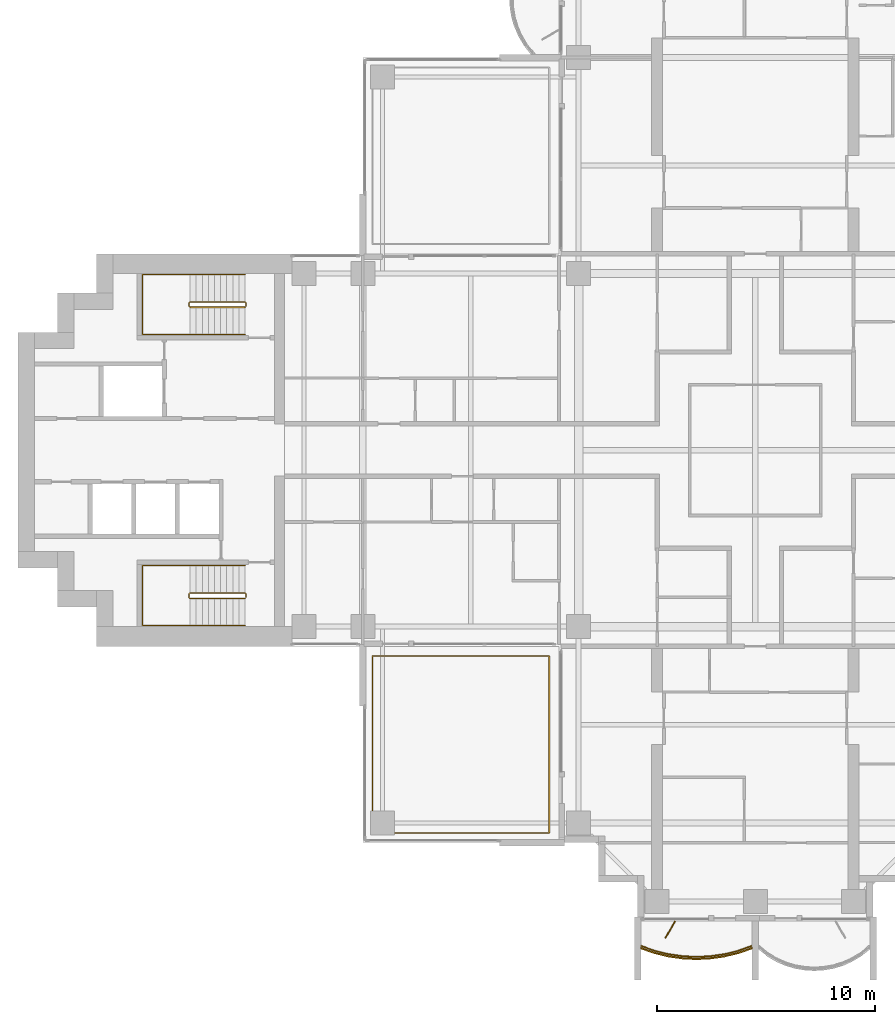
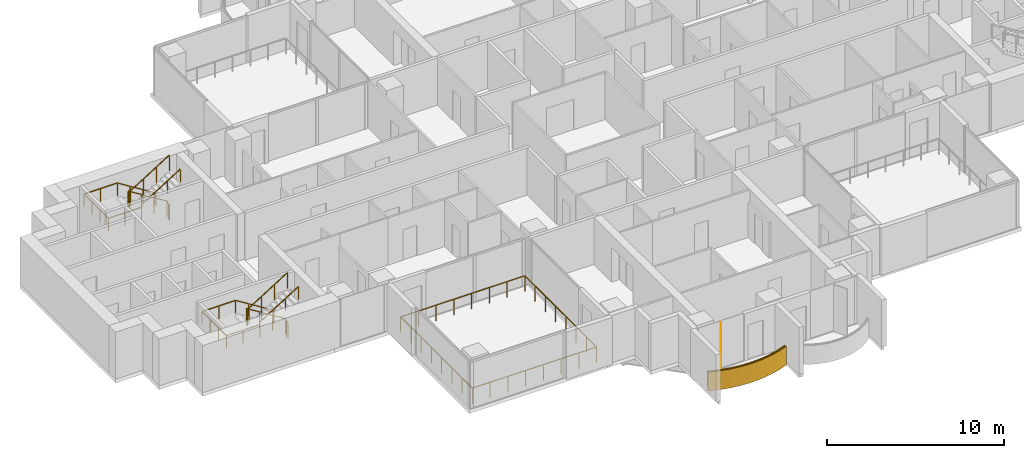
# One storey, part 16 of 19: 6 railings, 1 covering, 1 shading device.
"""IFC4 building model written with IfcOpenShell, lengths in metres."""

from ifc_helpers import new_model, si_unit, direction, frame, origin, origin_2d, place, context, subcontext, project, spatial, polyline, rectangle, outline, extrude, material, layer, layer_set, type_object, element, save


model = new_model("IFC4")

# Units and contexts
model_context = context("Model", 3, precision=1e-05, world=origin(), true_north=direction((0.0, 1.0)))
body_context = subcontext(model_context, "Body", "Model", "MODEL_VIEW")
ifc_project = project(units=[si_unit("LENGTHUNIT", "METRE"), si_unit("AREAUNIT", "SQUARE_METRE"), si_unit("VOLUMEUNIT", "CUBIC_METRE"), si_unit("PLANEANGLEUNIT", "RADIAN"), si_unit("MASSUNIT", "GRAM", prefix="KILO")], contexts=[model_context])

# Site, building, storey
site_placement = place(None, origin())
site = spatial("IfcSite", under=ifc_project, at=site_placement, CompositionType="ELEMENT")
building_placement = place(site_placement, origin())
building = spatial("IfcBuilding", under=site, at=building_placement, Name="Perihelion Cross Residences", CompositionType="ELEMENT")
storey_placement = place(building_placement, frame((0.0, 0.0, 112.89990234375)))
storey = spatial("IfcBuildingStorey", under=building, at=storey_placement, Name="L26", CompositionType="ELEMENT", Elevation=112.89990234375)

# Covering
ifc_material_1 = material(Name="Bronze anodised aluminium", Category="aluminium")
ifc_layer_1 = layer(ifc_material_1, 0.070068359375)
ifc_layer_set_1 = layer_set([ifc_layer_1], Name="Balcony fascia 1300")
covering_type = type_object("IfcCoveringType", Name="Balcony fascia 1300", PredefinedType="CLADDING", material=ifc_layer_set_1)
covering_placement = place(storey_placement, frame((0.0, 0.0, -0.199951171875)))
element("IfcCovering", 1, at=covering_placement, inside=storey, type_object=covering_type, Name="Fascia BF1 L26 south tip south bay 1", PredefinedType="CLADDING", context=body_context, shape_type="SweptSolid", body=[
    extrude(outline(polyline([(-4.63232421875, -23.090576171875), (-3.98828125, -23.247314453125), (-3.34423828125, -23.339599609375), (-2.699951171875, -23.3701171875), (-2.055908203125, -23.339599609375), (-1.411865234375, -23.247314453125), (-0.767578125, -23.090576171875), (-0.14990234375, -22.874267578125), (-0.14990234375, -22.800048828125), (-0.78759765625, -23.0234375), (-1.425048828125, -23.178466796875), (-2.0625, -23.269775390625), (-2.699951171875, -23.300048828125), (-3.33740234375, -23.269775390625), (-3.97509765625, -23.178466796875), (-4.612548828125, -23.0234375), (-5.25, -22.800048828125), (-5.25, -22.874267578125), (-4.63232421875, -23.090576171875)])), origin(), (0.0, 0.0, 1.0), 1.300048828125),
])

# Railings
ifc_material_2 = material(Name="Bronze anodised aluminium", Category="aluminium")
railing_type_1 = type_object("IfcRailingType", Name="Balcony guard 1100", PredefinedType="GUARDRAIL", material=ifc_material_2)
railing_1_placement = place(storey_placement, frame((-5.22509765625, -22.739990234375, 0.0)))
element("IfcRailing", 2, at=railing_1_placement, inside=storey, type_object=railing_type_1, Name="Guard GU1 L26 south tip south bay 1 balcony", PredefinedType="GUARDRAIL", context=body_context, shape_type="SweptSolid", body=[
    extrude(rectangle(XDim=0.048095703125, YDim=0.048095703125, at=origin_2d()), frame((0.0, 0.0, 1.076171875), z_axis=(0.939355405384, -0.342945217749, 0.0), x_axis=(0.342945217749, 0.939355405384, 0.0)), (0.0, 0.0, 1.0), 0.652099609375),
    extrude(rectangle(XDim=0.048095703125, YDim=0.048095703125, at=origin_2d()), frame((0.612548828125, -0.2236328125, 1.076171875), z_axis=(0.971676841941, -0.236313594268, 0.0), x_axis=(0.236313594268, 0.971676841941, 0.0)), (0.0, 0.0, 1.0), 0.656005859375),
    extrude(rectangle(XDim=0.048095703125, YDim=0.048095703125, at=origin_2d()), frame((1.25, -0.378662109375, 1.076171875), z_axis=(0.989903964498, -0.141739694763, 0.0), x_axis=(0.141739694763, 0.989903964498, 0.0)), (0.0, 0.0, 1.0), 0.644287109375),
    extrude(rectangle(XDim=0.048095703125, YDim=0.048095703125, at=origin_2d()), frame((1.8876953125, -0.469970703125, 1.076171875), z_axis=(0.998892243319, -0.04705620296, 0.0), x_axis=(0.04705620296, 0.998892243319, 0.0)), (0.0, 0.0, 1.0), 0.63818359375),
    extrude(rectangle(XDim=0.048095703125, YDim=0.048095703125, at=origin_2d()), frame((2.525146484375, -0.5, 1.076171875), z_axis=(0.998892243319, 0.04705620296, 0.0), x_axis=(-0.04705620296, 0.998892243319, 0.0)), (0.0, 0.0, 1.0), 0.63818359375),
    extrude(rectangle(XDim=0.048095703125, YDim=0.048095703125, at=origin_2d()), frame((3.16259765625, -0.469970703125, 1.076171875), z_axis=(0.989896346386, 0.141792889142, 0.0), x_axis=(-0.141792889142, 0.989896346386, 0.0)), (0.0, 0.0, 1.0), 0.64404296875),
    extrude(rectangle(XDim=0.048095703125, YDim=0.048095703125, at=origin_2d()), frame((3.800048828125, -0.378662109375, 1.076171875), z_axis=(0.971676841941, 0.236313594268, 0.0), x_axis=(-0.236313594268, 0.971676841941, 0.0)), (0.0, 0.0, 1.0), 0.656005859375),
    extrude(rectangle(XDim=0.048095703125, YDim=0.048095703125, at=origin_2d()), frame((4.4375, -0.2236328125, 1.076171875), z_axis=(0.939355405384, 0.342945217749, 0.0), x_axis=(-0.342945217749, 0.939355405384, 0.0)), (0.0, 0.0, 1.0), 0.652099609375),
    extrude(rectangle(XDim=0.0419921875, YDim=0.0419921875, at=origin_2d()), origin(), (0.0, 0.0, 1.0), 1.052001953125),
    extrude(rectangle(XDim=0.0419921875, YDim=0.0419921875, at=origin_2d()), frame((0.612548828125, -0.2236328125, 0.0)), (0.0, 0.0, 1.0), 1.052001953125),
    extrude(rectangle(XDim=0.0419921875, YDim=0.0419921875, at=origin_2d()), frame((1.25, -0.378662109375, 0.0)), (0.0, 0.0, 1.0), 1.052001953125),
    extrude(rectangle(XDim=0.0419921875, YDim=0.0419921875, at=origin_2d()), frame((1.8876953125, -0.469970703125, 0.0)), (0.0, 0.0, 1.0), 1.052001953125),
    extrude(rectangle(XDim=0.0419921875, YDim=0.0419921875, at=origin_2d()), frame((2.525146484375, -0.5, 0.0)), (0.0, 0.0, 1.0), 1.052001953125),
    extrude(rectangle(XDim=0.0419921875, YDim=0.0419921875, at=origin_2d()), frame((3.16259765625, -0.469970703125, 0.0)), (0.0, 0.0, 1.0), 1.052001953125),
    extrude(rectangle(XDim=0.0419921875, YDim=0.0419921875, at=origin_2d()), frame((3.800048828125, -0.378662109375, 0.0)), (0.0, 0.0, 1.0), 1.052001953125),
    extrude(rectangle(XDim=0.0419921875, YDim=0.0419921875, at=origin_2d()), frame((4.4375, -0.2236328125, 0.0)), (0.0, 0.0, 1.0), 1.052001953125),
    extrude(rectangle(XDim=0.0419921875, YDim=0.0419921875, at=origin_2d()), frame((5.050048828125, 0.0, 0.0)), (0.0, 0.0, 1.0), 1.052001953125),
])
railing_2_placement = place(storey_placement, frame((-9.449951171875, -17.550048828125, 0.0)))
element("IfcRailing", 3, at=railing_2_placement, inside=storey, type_object=railing_type_1, Name="Guard GU1 L26 pocket south-west 1", PredefinedType="GUARDRAIL", context=body_context, shape_type="SweptSolid", body=[
    extrude(rectangle(XDim=0.048095703125, YDim=0.048095703125, at=origin_2d()), frame((0.0, 0.0, 1.076171875), z_axis=(-1.0, 0.0, 0.0), x_axis=(0.0, -1.0, 0.0)), (0.0, 0.0, 1.0), 8.10009765625),
    extrude(rectangle(XDim=0.048095703125, YDim=0.048095703125, at=origin_2d()), frame((-8.10009765625, 0.0, 1.076171875), z_axis=(0.0, 1.0, 0.0), x_axis=(-1.0, 0.0, 0.0)), (0.0, 0.0, 1.0), 8.10009765625),
    extrude(rectangle(XDim=0.048095703125, YDim=0.048095703125, at=origin_2d()), frame((-8.10009765625, 8.10009765625, 1.076171875), z_axis=(1.0, 0.0, 0.0), x_axis=(0.0, 1.0, 0.0)), (0.0, 0.0, 1.0), 8.10009765625),
    extrude(rectangle(XDim=0.048095703125, YDim=0.048095703125, at=origin_2d()), frame((0.0, 8.10009765625, 1.076171875), z_axis=(0.0, -1.0, 0.0), x_axis=(1.0, 0.0, 0.0)), (0.0, 0.0, 1.0), 8.10009765625),
    extrude(rectangle(XDim=0.0419921875, YDim=0.0419921875, at=origin_2d()), origin(), (0.0, 0.0, 1.0), 1.052001953125),
    extrude(rectangle(XDim=0.0419921875, YDim=0.0419921875, at=origin_2d()), frame((-1.1572265625, 0.0, 0.0)), (0.0, 0.0, 1.0), 1.052001953125),
    extrude(rectangle(XDim=0.0419921875, YDim=0.0419921875, at=origin_2d()), frame((-2.314208984375, 0.0, 0.0)), (0.0, 0.0, 1.0), 1.052001953125),
    extrude(rectangle(XDim=0.0419921875, YDim=0.0419921875, at=origin_2d()), frame((-3.471435546875, 0.0, 0.0)), (0.0, 0.0, 1.0), 1.052001953125),
    extrude(rectangle(XDim=0.0419921875, YDim=0.0419921875, at=origin_2d()), frame((-4.628662109375, 0.0, 0.0)), (0.0, 0.0, 1.0), 1.052001953125),
    extrude(rectangle(XDim=0.0419921875, YDim=0.0419921875, at=origin_2d()), frame((-5.785888671875, 0.0, 0.0)), (0.0, 0.0, 1.0), 1.052001953125),
    extrude(rectangle(XDim=0.0419921875, YDim=0.0419921875, at=origin_2d()), frame((-6.94287109375, 0.0, 0.0)), (0.0, 0.0, 1.0), 1.052001953125),
    extrude(rectangle(XDim=0.0419921875, YDim=0.0419921875, at=origin_2d()), frame((-8.10009765625, 0.0, 0.0)), (0.0, 0.0, 1.0), 1.052001953125),
    extrude(rectangle(XDim=0.0419921875, YDim=0.0419921875, at=origin_2d()), frame((-8.10009765625, 1.1572265625, 0.0)), (0.0, 0.0, 1.0), 1.052001953125),
    extrude(rectangle(XDim=0.0419921875, YDim=0.0419921875, at=origin_2d()), frame((-8.10009765625, 2.314208984375, 0.0)), (0.0, 0.0, 1.0), 1.052001953125),
    extrude(rectangle(XDim=0.0419921875, YDim=0.0419921875, at=origin_2d()), frame((-8.10009765625, 3.471435546875, 0.0)), (0.0, 0.0, 1.0), 1.052001953125),
    extrude(rectangle(XDim=0.0419921875, YDim=0.0419921875, at=origin_2d()), frame((-8.10009765625, 4.628662109375, 0.0)), (0.0, 0.0, 1.0), 1.052001953125),
    extrude(rectangle(XDim=0.0419921875, YDim=0.0419921875, at=origin_2d()), frame((-8.10009765625, 5.785888671875, 0.0)), (0.0, 0.0, 1.0), 1.052001953125),
    extrude(rectangle(XDim=0.0419921875, YDim=0.0419921875, at=origin_2d()), frame((-8.10009765625, 6.94287109375, 0.0)), (0.0, 0.0, 1.0), 1.052001953125),
    extrude(rectangle(XDim=0.0419921875, YDim=0.0419921875, at=origin_2d()), frame((-8.10009765625, 8.10009765625, 0.0)), (0.0, 0.0, 1.0), 1.052001953125),
    extrude(rectangle(XDim=0.0419921875, YDim=0.0419921875, at=origin_2d()), frame((-6.94287109375, 8.10009765625, 0.0)), (0.0, 0.0, 1.0), 1.052001953125),
    extrude(rectangle(XDim=0.0419921875, YDim=0.0419921875, at=origin_2d()), frame((-5.785888671875, 8.10009765625, 0.0)), (0.0, 0.0, 1.0), 1.052001953125),
    extrude(rectangle(XDim=0.0419921875, YDim=0.0419921875, at=origin_2d()), frame((-4.628662109375, 8.10009765625, 0.0)), (0.0, 0.0, 1.0), 1.052001953125),
    extrude(rectangle(XDim=0.0419921875, YDim=0.0419921875, at=origin_2d()), frame((-3.471435546875, 8.10009765625, 0.0)), (0.0, 0.0, 1.0), 1.052001953125),
    extrude(rectangle(XDim=0.0419921875, YDim=0.0419921875, at=origin_2d()), frame((-2.314208984375, 8.10009765625, 0.0)), (0.0, 0.0, 1.0), 1.052001953125),
    extrude(rectangle(XDim=0.0419921875, YDim=0.0419921875, at=origin_2d()), frame((-1.1572265625, 8.10009765625, 0.0)), (0.0, 0.0, 1.0), 1.052001953125),
    extrude(rectangle(XDim=0.0419921875, YDim=0.0419921875, at=origin_2d()), frame((0.0, 8.10009765625, 0.0)), (0.0, 0.0, 1.0), 1.052001953125),
    extrude(rectangle(XDim=0.0419921875, YDim=0.0419921875, at=origin_2d()), frame((0.0, 6.94287109375, 0.0)), (0.0, 0.0, 1.0), 1.052001953125),
    extrude(rectangle(XDim=0.0419921875, YDim=0.0419921875, at=origin_2d()), frame((0.0, 5.785888671875, 0.0)), (0.0, 0.0, 1.0), 1.052001953125),
    extrude(rectangle(XDim=0.0419921875, YDim=0.0419921875, at=origin_2d()), frame((0.0, 4.628662109375, 0.0)), (0.0, 0.0, 1.0), 1.052001953125),
    extrude(rectangle(XDim=0.0419921875, YDim=0.0419921875, at=origin_2d()), frame((0.0, 3.471435546875, 0.0)), (0.0, 0.0, 1.0), 1.052001953125),
    extrude(rectangle(XDim=0.0419921875, YDim=0.0419921875, at=origin_2d()), frame((0.0, 2.314208984375, 0.0)), (0.0, 0.0, 1.0), 1.052001953125),
    extrude(rectangle(XDim=0.0419921875, YDim=0.0419921875, at=origin_2d()), frame((0.0, 1.1572265625, 0.0)), (0.0, 0.0, 1.0), 1.052001953125),
])

# Shading device
ifc_material_3 = material(Name="Bronze anodised aluminium", Category="aluminium")
ifc_layer_2 = layer(ifc_material_3, 0.050048828125)
ifc_layer_set_2 = layer_set([ifc_layer_2], Name="Bronze fin 900")
shading_device_type = type_object("IfcShadingDeviceType", Name="Bronze fin 900", PredefinedType="USERDEFINED", material=ifc_layer_set_2)
shading_device_placement = place(storey_placement, frame((-3.89990234375, -21.98974609375, 0.0), z_axis=(0.0, 0.0, 1.0), x_axis=(-0.5, -0.866025403784, 0.0)))
element("IfcShadingDevice", 4, at=shading_device_placement, inside=storey, type_object=shading_device_type, Name="Fin FN1 L26 south tip south bay 1", ObjectType="FIN", PredefinedType="USERDEFINED", context=body_context, shape_type="SweptSolid", body=[
    extrude(rectangle(XDim=0.89990234375, YDim=0.050048828125, at=origin_2d()), origin(), (0.0, 0.0, 1.0), 3.25),
])

# Railings
ifc_material_4 = material(Name="Stainless steel", Category="steel")
railing_type_2 = type_object("IfcRailingType", Name="Stair guard 1100", PredefinedType="GUARDRAIL", material=ifc_material_4)
railing_3_placement = place(storey_placement, frame((-23.35009765625, 6.60009765625, 0.0)))
element("IfcRailing", 5, at=railing_3_placement, inside=storey, type_object=railing_type_2, Name="L26 ST-W1 stair guard 1", PredefinedType="GUARDRAIL", context=body_context, shape_type="SweptSolid", body=[
    extrude(rectangle(XDim=0.048095703125, YDim=0.048095703125, at=origin_2d()), frame((0.0, 0.0, 1.076171875), z_axis=(0.0, 1.0, 0.0), x_axis=(-1.0, 0.0, 0.0)), (0.0, 0.0, 1.0), 0.14990234375),
    extrude(rectangle(XDim=0.048095703125, YDim=0.048095703125, at=origin_2d()), frame((0.0, 0.14990234375, 1.076171875), z_axis=(-0.263862480399, 0.265155923931, 0.927399011991), x_axis=(-0.708833529934, -0.705375805398, 0.0)), (0.0, 0.0, 1.0), 0.188720703125),
    extrude(rectangle(XDim=0.048095703125, YDim=0.048095703125, at=origin_2d()), frame((-0.0498046875, 0.199951171875, 1.2509765625), z_axis=(-0.848007534815, 0.0, 0.529984170421), x_axis=(0.0, -1.0, 0.0)), (0.0, 0.0, 1.0), 2.9716796875),
    extrude(rectangle(XDim=0.048095703125, YDim=0.048095703125, at=origin_2d()), frame((-2.56982421875, 0.199951171875, 2.826171875), z_axis=(-0.707106781187, -0.707106781187, 0.0), x_axis=(0.707106781187, -0.707106781187, 0.0)), (0.0, 0.0, 1.0), 0.07080078125),
    extrude(rectangle(XDim=0.048095703125, YDim=0.048095703125, at=origin_2d()), frame((-2.619873046875, 0.14990234375, 2.826171875), z_axis=(0.0, -1.0, 0.0), x_axis=(1.0, 0.0, 0.0)), (0.0, 0.0, 1.0), 0.14990234375),
    extrude(rectangle(XDim=0.048095703125, YDim=0.048095703125, at=origin_2d()), frame((-2.619873046875, 0.0, 2.826171875), z_axis=(0.265065253269, -0.265065253269, 0.927081885822), x_axis=(0.707106781187, 0.707106781187, 0.0)), (0.0, 0.0, 1.0), 0.188720703125),
    extrude(rectangle(XDim=0.048095703125, YDim=0.048095703125, at=origin_2d()), frame((-2.56982421875, -0.050048828125, 3.0009765625), z_axis=(0.848007534815, 0.0, 0.529984170421), x_axis=(0.0, 1.0, 0.0)), (0.0, 0.0, 1.0), 2.9716796875),
    extrude(rectangle(XDim=0.0419921875, YDim=0.0419921875, at=origin_2d()), origin(), (0.0, 0.0, 1.0), 1.052001953125),
    extrude(rectangle(XDim=0.0419921875, YDim=0.0419921875, at=origin_2d()), frame((0.0, 0.14990234375, 0.0)), (0.0, 0.0, 1.0), 1.052001953125),
    extrude(rectangle(XDim=0.0419921875, YDim=0.0419921875, at=origin_2d()), frame((-0.0498046875, 0.199951171875, 0.175048828125)), (0.0, 0.0, 1.0), 1.052001953125),
    extrude(rectangle(XDim=0.0419921875, YDim=0.0419921875, at=origin_2d()), frame((-0.889892578125, 0.199951171875, 0.699951171875)), (0.0, 0.0, 1.0), 1.052001953125),
    extrude(rectangle(XDim=0.0419921875, YDim=0.0419921875, at=origin_2d()), frame((-1.729736328125, 0.199951171875, 1.22509765625)), (0.0, 0.0, 1.0), 1.052001953125),
    extrude(rectangle(XDim=0.0419921875, YDim=0.0419921875, at=origin_2d()), frame((-2.56982421875, 0.199951171875, 1.75)), (0.0, 0.0, 1.0), 1.052001953125),
    extrude(rectangle(XDim=0.0419921875, YDim=0.0419921875, at=origin_2d()), frame((-2.619873046875, 0.14990234375, 1.75)), (0.0, 0.0, 1.0), 1.052001953125),
    extrude(rectangle(XDim=0.0419921875, YDim=0.0419921875, at=origin_2d()), frame((-2.619873046875, 0.0, 1.75)), (0.0, 0.0, 1.0), 1.052001953125),
    extrude(rectangle(XDim=0.0419921875, YDim=0.0419921875, at=origin_2d()), frame((-2.56982421875, -0.050048828125, 1.925048828125)), (0.0, 0.0, 1.0), 1.052001953125),
    extrude(rectangle(XDim=0.0419921875, YDim=0.0419921875, at=origin_2d()), frame((-1.729736328125, -0.050048828125, 2.449951171875)), (0.0, 0.0, 1.0), 1.052001953125),
    extrude(rectangle(XDim=0.0419921875, YDim=0.0419921875, at=origin_2d()), frame((-0.889892578125, -0.050048828125, 2.97509765625)), (0.0, 0.0, 1.0), 1.052001953125),
    extrude(rectangle(XDim=0.0419921875, YDim=0.0419921875, at=origin_2d()), frame((-0.0498046875, -0.050048828125, 3.5)), (0.0, 0.0, 1.0), 1.052001953125),
])
railing_4_placement = place(storey_placement, frame((-23.35009765625, -6.75, 0.0)))
element("IfcRailing", 6, at=railing_4_placement, inside=storey, type_object=railing_type_2, Name="L26 ST-W2 stair guard 1", PredefinedType="GUARDRAIL", context=body_context, shape_type="SweptSolid", body=[
    extrude(rectangle(XDim=0.048095703125, YDim=0.048095703125, at=origin_2d()), frame((0.0, 0.0, 1.076171875), z_axis=(0.0, 1.0, 0.0), x_axis=(-1.0, 0.0, 0.0)), (0.0, 0.0, 1.0), 0.14990234375),
    extrude(rectangle(XDim=0.048095703125, YDim=0.048095703125, at=origin_2d()), frame((0.0, 0.14990234375, 1.076171875), z_axis=(-0.263862480399, 0.265155923931, 0.927399011991), x_axis=(-0.708833529934, -0.705375805398, 0.0)), (0.0, 0.0, 1.0), 0.188720703125),
    extrude(rectangle(XDim=0.048095703125, YDim=0.048095703125, at=origin_2d()), frame((-0.0498046875, 0.199951171875, 1.2509765625), z_axis=(-0.848007534815, 0.0, 0.529984170421), x_axis=(0.0, -1.0, 0.0)), (0.0, 0.0, 1.0), 2.9716796875),
    extrude(rectangle(XDim=0.048095703125, YDim=0.048095703125, at=origin_2d()), frame((-2.56982421875, 0.199951171875, 2.826171875), z_axis=(-0.707106781187, -0.707106781187, 0.0), x_axis=(0.707106781187, -0.707106781187, 0.0)), (0.0, 0.0, 1.0), 0.07080078125),
    extrude(rectangle(XDim=0.048095703125, YDim=0.048095703125, at=origin_2d()), frame((-2.619873046875, 0.14990234375, 2.826171875), z_axis=(0.0, -1.0, 0.0), x_axis=(1.0, 0.0, 0.0)), (0.0, 0.0, 1.0), 0.14990234375),
    extrude(rectangle(XDim=0.048095703125, YDim=0.048095703125, at=origin_2d()), frame((-2.619873046875, 0.0, 2.826171875), z_axis=(0.265065253269, -0.265065253269, 0.927081885822), x_axis=(0.707106781187, 0.707106781187, 0.0)), (0.0, 0.0, 1.0), 0.188720703125),
    extrude(rectangle(XDim=0.048095703125, YDim=0.048095703125, at=origin_2d()), frame((-2.56982421875, -0.050048828125, 3.0009765625), z_axis=(0.848007534815, 0.0, 0.529984170421), x_axis=(0.0, 1.0, 0.0)), (0.0, 0.0, 1.0), 2.9716796875),
    extrude(rectangle(XDim=0.0419921875, YDim=0.0419921875, at=origin_2d()), origin(), (0.0, 0.0, 1.0), 1.052001953125),
    extrude(rectangle(XDim=0.0419921875, YDim=0.0419921875, at=origin_2d()), frame((0.0, 0.14990234375, 0.0)), (0.0, 0.0, 1.0), 1.052001953125),
    extrude(rectangle(XDim=0.0419921875, YDim=0.0419921875, at=origin_2d()), frame((-0.0498046875, 0.199951171875, 0.175048828125)), (0.0, 0.0, 1.0), 1.052001953125),
    extrude(rectangle(XDim=0.0419921875, YDim=0.0419921875, at=origin_2d()), frame((-0.889892578125, 0.199951171875, 0.699951171875)), (0.0, 0.0, 1.0), 1.052001953125),
    extrude(rectangle(XDim=0.0419921875, YDim=0.0419921875, at=origin_2d()), frame((-1.729736328125, 0.199951171875, 1.22509765625)), (0.0, 0.0, 1.0), 1.052001953125),
    extrude(rectangle(XDim=0.0419921875, YDim=0.0419921875, at=origin_2d()), frame((-2.56982421875, 0.199951171875, 1.75)), (0.0, 0.0, 1.0), 1.052001953125),
    extrude(rectangle(XDim=0.0419921875, YDim=0.0419921875, at=origin_2d()), frame((-2.619873046875, 0.14990234375, 1.75)), (0.0, 0.0, 1.0), 1.052001953125),
    extrude(rectangle(XDim=0.0419921875, YDim=0.0419921875, at=origin_2d()), frame((-2.619873046875, 0.0, 1.75)), (0.0, 0.0, 1.0), 1.052001953125),
    extrude(rectangle(XDim=0.0419921875, YDim=0.0419921875, at=origin_2d()), frame((-2.56982421875, -0.050048828125, 1.925048828125)), (0.0, 0.0, 1.0), 1.052001953125),
    extrude(rectangle(XDim=0.0419921875, YDim=0.0419921875, at=origin_2d()), frame((-1.729736328125, -0.050048828125, 2.449951171875)), (0.0, 0.0, 1.0), 1.052001953125),
    extrude(rectangle(XDim=0.0419921875, YDim=0.0419921875, at=origin_2d()), frame((-0.889892578125, -0.050048828125, 2.97509765625)), (0.0, 0.0, 1.0), 1.052001953125),
    extrude(rectangle(XDim=0.0419921875, YDim=0.0419921875, at=origin_2d()), frame((-0.0498046875, -0.050048828125, 3.5)), (0.0, 0.0, 1.0), 1.052001953125),
])
ifc_material_5 = material(Name="Stainless steel", Category="steel")
railing_type_3 = type_object("IfcRailingType", Name="Stair handrail 900", PredefinedType="HANDRAIL", material=ifc_material_5)
railing_5_placement = place(storey_placement, frame((-23.39990234375, 8.050048828125, 0.175048828125)))
element("IfcRailing", 7, at=railing_5_placement, inside=storey, type_object=railing_type_3, Name="L26 ST-W1 stair handrail 1", PredefinedType="HANDRAIL", context=body_context, shape_type="SweptSolid", body=[
    extrude(rectangle(XDim=0.048095703125, YDim=0.048095703125, at=origin_2d()), frame((0.0, 0.0, 0.8759765625), z_axis=(-0.848007534815, 0.0, 0.529984170421), x_axis=(0.0, -1.0, 0.0)), (0.0, 0.0, 1.0), 2.9716796875),
    extrude(rectangle(XDim=0.048095703125, YDim=0.048095703125, at=origin_2d()), frame((-2.52001953125, 0.0, 2.45068359375), z_axis=(-1.0, 0.0, 0.0), x_axis=(0.0, -1.0, 0.0)), (0.0, 0.0, 1.0), 2.18017578125),
    extrude(rectangle(XDim=0.048095703125, YDim=0.048095703125, at=origin_2d()), frame((-4.7001953125, 0.0, 2.45068359375), z_axis=(0.0, -1.0, 0.0), x_axis=(1.0, 0.0, 0.0)), (0.0, 0.0, 1.0), 2.75),
    extrude(rectangle(XDim=0.048095703125, YDim=0.048095703125, at=origin_2d()), frame((-4.7001953125, -2.75, 2.45068359375), z_axis=(1.0, 0.0, 0.0), x_axis=(0.0, 1.0, 0.0)), (0.0, 0.0, 1.0), 2.18017578125),
    extrude(rectangle(XDim=0.048095703125, YDim=0.048095703125, at=origin_2d()), frame((-2.52001953125, -2.75, 2.45068359375), z_axis=(0.0, 0.0, 1.0), x_axis=(1.0, 0.0, 0.0)), (0.0, 0.0, 1.0), 0.175048828125),
    extrude(rectangle(XDim=0.048095703125, YDim=0.048095703125, at=origin_2d()), frame((-2.52001953125, -2.75, 2.6259765625), z_axis=(0.848007534815, 0.0, 0.529984170421), x_axis=(0.0, 1.0, 0.0)), (0.0, 0.0, 1.0), 2.9716796875),
    extrude(rectangle(XDim=0.0419921875, YDim=0.0419921875, at=origin_2d()), origin(), (0.0, 0.0, 1.0), 0.851806640625),
    extrude(rectangle(XDim=0.0419921875, YDim=0.0419921875, at=origin_2d()), frame((-0.840087890625, 0.0, 0.52490234375)), (0.0, 0.0, 1.0), 0.851806640625),
    extrude(rectangle(XDim=0.0419921875, YDim=0.0419921875, at=origin_2d()), frame((-1.679931640625, 0.0, 1.050048828125)), (0.0, 0.0, 1.0), 0.851806640625),
    extrude(rectangle(XDim=0.0419921875, YDim=0.0419921875, at=origin_2d()), frame((-2.52001953125, 0.0, 1.574951171875)), (0.0, 0.0, 1.0), 0.851806640625),
    extrude(rectangle(XDim=0.0419921875, YDim=0.0419921875, at=origin_2d()), frame((-3.610107421875, 0.0, 1.574951171875)), (0.0, 0.0, 1.0), 0.851806640625),
    extrude(rectangle(XDim=0.0419921875, YDim=0.0419921875, at=origin_2d()), frame((-4.7001953125, 0.0, 1.574951171875)), (0.0, 0.0, 1.0), 0.851806640625),
    extrude(rectangle(XDim=0.0419921875, YDim=0.0419921875, at=origin_2d()), frame((-4.7001953125, -0.916748046875, 1.574951171875)), (0.0, 0.0, 1.0), 0.851806640625),
    extrude(rectangle(XDim=0.0419921875, YDim=0.0419921875, at=origin_2d()), frame((-4.7001953125, -1.833251953125, 1.574951171875)), (0.0, 0.0, 1.0), 0.851806640625),
    extrude(rectangle(XDim=0.0419921875, YDim=0.0419921875, at=origin_2d()), frame((-4.7001953125, -2.75, 1.574951171875)), (0.0, 0.0, 1.0), 0.851806640625),
    extrude(rectangle(XDim=0.0419921875, YDim=0.0419921875, at=origin_2d()), frame((-3.610107421875, -2.75, 1.574951171875)), (0.0, 0.0, 1.0), 0.851806640625),
    extrude(rectangle(XDim=0.0419921875, YDim=0.0419921875, at=origin_2d()), frame((-2.52001953125, -2.75, 1.574951171875)), (0.0, 0.0, 1.0), 0.851806640625),
    extrude(rectangle(XDim=0.0419921875, YDim=0.0419921875, at=origin_2d()), frame((-2.52001953125, -2.75, 1.75)), (0.0, 0.0, 1.0), 0.851806640625),
    extrude(rectangle(XDim=0.0419921875, YDim=0.0419921875, at=origin_2d()), frame((-1.679931640625, -2.75, 2.27490234375)), (0.0, 0.0, 1.0), 0.851806640625),
    extrude(rectangle(XDim=0.0419921875, YDim=0.0419921875, at=origin_2d()), frame((-0.840087890625, -2.75, 2.800048828125)), (0.0, 0.0, 1.0), 0.851806640625),
    extrude(rectangle(XDim=0.0419921875, YDim=0.0419921875, at=origin_2d()), frame((0.0, -2.75, 3.324951171875)), (0.0, 0.0, 1.0), 0.851806640625),
])
railing_6_placement = place(storey_placement, frame((-23.39990234375, -5.300048828125, 0.175048828125)))
element("IfcRailing", 8, at=railing_6_placement, inside=storey, type_object=railing_type_3, Name="L26 ST-W2 stair handrail 1", PredefinedType="HANDRAIL", context=body_context, shape_type="SweptSolid", body=[
    extrude(rectangle(XDim=0.048095703125, YDim=0.048095703125, at=origin_2d()), frame((0.0, 0.0, 0.8759765625), z_axis=(-0.848007534815, 0.0, 0.529984170421), x_axis=(0.0, -1.0, 0.0)), (0.0, 0.0, 1.0), 2.9716796875),
    extrude(rectangle(XDim=0.048095703125, YDim=0.048095703125, at=origin_2d()), frame((-2.52001953125, 0.0, 2.45068359375), z_axis=(-1.0, 0.0, 0.0), x_axis=(0.0, -1.0, 0.0)), (0.0, 0.0, 1.0), 2.18017578125),
    extrude(rectangle(XDim=0.048095703125, YDim=0.048095703125, at=origin_2d()), frame((-4.7001953125, 0.0, 2.45068359375), z_axis=(0.0, -1.0, 0.0), x_axis=(1.0, 0.0, 0.0)), (0.0, 0.0, 1.0), 2.75),
    extrude(rectangle(XDim=0.048095703125, YDim=0.048095703125, at=origin_2d()), frame((-4.7001953125, -2.75, 2.45068359375), z_axis=(1.0, 0.0, 0.0), x_axis=(0.0, 1.0, 0.0)), (0.0, 0.0, 1.0), 2.18017578125),
    extrude(rectangle(XDim=0.048095703125, YDim=0.048095703125, at=origin_2d()), frame((-2.52001953125, -2.75, 2.45068359375), z_axis=(0.0, 0.0, 1.0), x_axis=(1.0, 0.0, 0.0)), (0.0, 0.0, 1.0), 0.175048828125),
    extrude(rectangle(XDim=0.048095703125, YDim=0.048095703125, at=origin_2d()), frame((-2.52001953125, -2.75, 2.6259765625), z_axis=(0.848007534815, 0.0, 0.529984170421), x_axis=(0.0, 1.0, 0.0)), (0.0, 0.0, 1.0), 2.9716796875),
    extrude(rectangle(XDim=0.0419921875, YDim=0.0419921875, at=origin_2d()), origin(), (0.0, 0.0, 1.0), 0.851806640625),
    extrude(rectangle(XDim=0.0419921875, YDim=0.0419921875, at=origin_2d()), frame((-0.840087890625, 0.0, 0.52490234375)), (0.0, 0.0, 1.0), 0.851806640625),
    extrude(rectangle(XDim=0.0419921875, YDim=0.0419921875, at=origin_2d()), frame((-1.679931640625, 0.0, 1.050048828125)), (0.0, 0.0, 1.0), 0.851806640625),
    extrude(rectangle(XDim=0.0419921875, YDim=0.0419921875, at=origin_2d()), frame((-2.52001953125, 0.0, 1.574951171875)), (0.0, 0.0, 1.0), 0.851806640625),
    extrude(rectangle(XDim=0.0419921875, YDim=0.0419921875, at=origin_2d()), frame((-3.610107421875, 0.0, 1.574951171875)), (0.0, 0.0, 1.0), 0.851806640625),
    extrude(rectangle(XDim=0.0419921875, YDim=0.0419921875, at=origin_2d()), frame((-4.7001953125, 0.0, 1.574951171875)), (0.0, 0.0, 1.0), 0.851806640625),
    extrude(rectangle(XDim=0.0419921875, YDim=0.0419921875, at=origin_2d()), frame((-4.7001953125, -0.916748046875, 1.574951171875)), (0.0, 0.0, 1.0), 0.851806640625),
    extrude(rectangle(XDim=0.0419921875, YDim=0.0419921875, at=origin_2d()), frame((-4.7001953125, -1.833251953125, 1.574951171875)), (0.0, 0.0, 1.0), 0.851806640625),
    extrude(rectangle(XDim=0.0419921875, YDim=0.0419921875, at=origin_2d()), frame((-4.7001953125, -2.75, 1.574951171875)), (0.0, 0.0, 1.0), 0.851806640625),
    extrude(rectangle(XDim=0.0419921875, YDim=0.0419921875, at=origin_2d()), frame((-3.610107421875, -2.75, 1.574951171875)), (0.0, 0.0, 1.0), 0.851806640625),
    extrude(rectangle(XDim=0.0419921875, YDim=0.0419921875, at=origin_2d()), frame((-2.52001953125, -2.75, 1.574951171875)), (0.0, 0.0, 1.0), 0.851806640625),
    extrude(rectangle(XDim=0.0419921875, YDim=0.0419921875, at=origin_2d()), frame((-2.52001953125, -2.75, 1.75)), (0.0, 0.0, 1.0), 0.851806640625),
    extrude(rectangle(XDim=0.0419921875, YDim=0.0419921875, at=origin_2d()), frame((-1.679931640625, -2.75, 2.27490234375)), (0.0, 0.0, 1.0), 0.851806640625),
    extrude(rectangle(XDim=0.0419921875, YDim=0.0419921875, at=origin_2d()), frame((-0.840087890625, -2.75, 2.800048828125)), (0.0, 0.0, 1.0), 0.851806640625),
    extrude(rectangle(XDim=0.0419921875, YDim=0.0419921875, at=origin_2d()), frame((0.0, -2.75, 3.324951171875)), (0.0, 0.0, 1.0), 0.851806640625),
])

save(model, "model.ifc")
